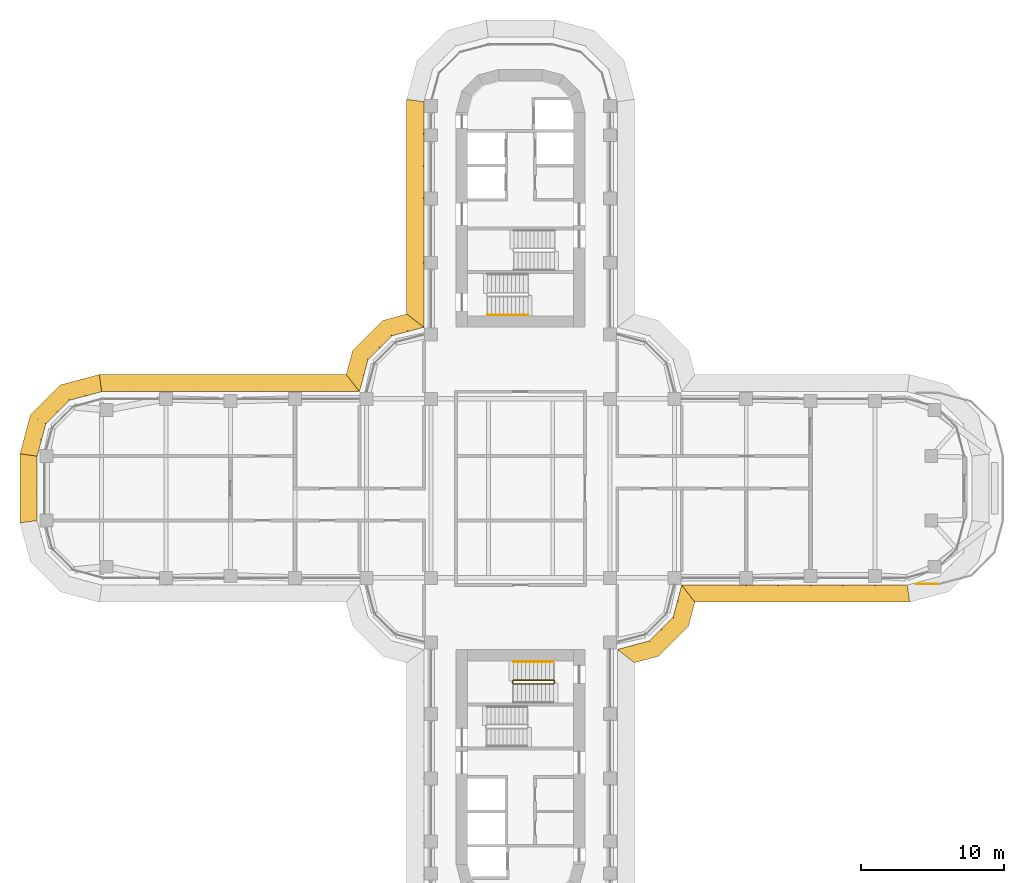
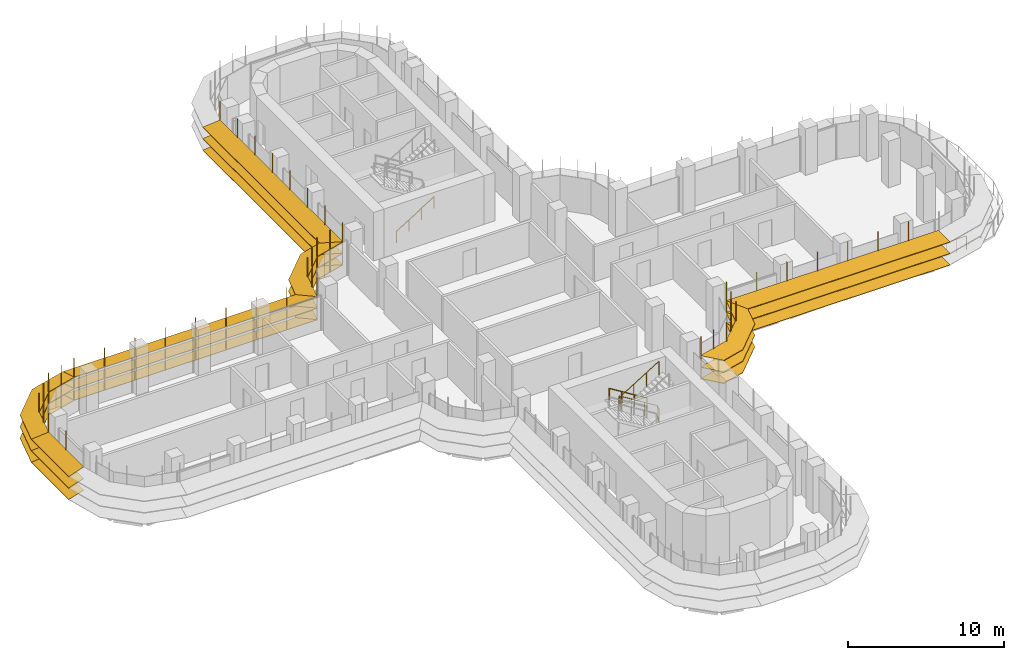
# One storey, part 20 of 22: 7 shading devices, 4 railings.
"""IFC4 building model written with IfcOpenShell, lengths in metres."""

from ifc_helpers import new_model, si_unit, direction, frame, origin, origin_2d, place, context, subcontext, project, spatial, polyline, circle, outline, extrude, faceted_brep, source, transform, mapped, material, type_object, element, save


model = new_model("IFC4")

# Units and contexts
model_context = context("Model", 3, precision=1e-05, world=origin(), true_north=direction((0.0, 1.0)))
body_context = subcontext(model_context, "Body", "Model", "MODEL_VIEW")
ifc_project = project(units=[si_unit("LENGTHUNIT", "METRE"), si_unit("AREAUNIT", "SQUARE_METRE"), si_unit("VOLUMEUNIT", "CUBIC_METRE"), si_unit("PLANEANGLEUNIT", "RADIAN"), si_unit("MASSUNIT", "GRAM", prefix="KILO")], contexts=[model_context])

# Site, building, storey
site_placement = place(None, origin())
site = spatial("IfcSite", under=ifc_project, at=site_placement, CompositionType="ELEMENT")
building_placement = place(site_placement, origin())
building = spatial("IfcBuilding", under=site, at=building_placement, Name="Zarbagh Exchange Tower", CompositionType="ELEMENT")
storey_placement = place(building_placement, frame((0.0, 0.0, 124.60009765625)))
storey = spatial("IfcBuildingStorey", under=building, at=storey_placement, Name="L29", CompositionType="ELEMENT", Elevation=124.60009765625)

# Railings
ifc_material_1 = material(Name="Stainless steel", Category="steel")
railing_type_1 = type_object("IfcRailingType", Name="Stair guard 1100 mm", PredefinedType="GUARDRAIL", material=ifc_material_1)
railing_1_placement = place(storey_placement, frame((2.35009765625, -13.60009765625, 0.0)))
element("IfcRailing", 1, at=railing_1_placement, inside=storey, type_object=railing_type_1, Name="ST4 stair guard 1", PredefinedType="GUARDRAIL", context=body_context, shape_type="SweptSolid", body=[
    extrude(circle(Radius=0.02392578125, at=origin_2d()), frame((0.0, 0.0, 1.076171875), z_axis=(0.0, 1.0, 0.0), x_axis=(-1.0, 0.0, 0.0)), (0.0, 0.0, 1.0), 0.150146484375),
    extrude(circle(Radius=0.02392578125, at=origin_2d()), frame((0.0, 0.150146484375, 1.076171875), z_axis=(-0.268277960024, 0.268277960024, 0.925231793839), x_axis=(-0.707106781187, -0.707106781187, 0.0)), (0.0, 0.0, 1.0), 0.1865234375),
    extrude(circle(Radius=0.02392578125, at=origin_2d()), frame((-0.050048828125, 0.2001953125, 1.24853515625), z_axis=(-0.851089632645, 0.0, 0.525020415988), x_axis=(0.0, -1.0, 0.0)), (0.0, 0.0, 1.0), 3.2900390625),
    extrude(circle(Radius=0.02392578125, at=origin_2d()), frame((-2.85009765625, 0.2001953125, 2.97607421875), z_axis=(-0.707106781187, -0.707106781187, 0.0), x_axis=(0.707106781187, -0.707106781187, 0.0)), (0.0, 0.0, 1.0), 0.07080078125),
    extrude(circle(Radius=0.02392578125, at=origin_2d()), frame((-2.900146484375, 0.150146484375, 2.97607421875), z_axis=(0.0, -1.0, 0.0), x_axis=(1.0, 0.0, 0.0)), (0.0, 0.0, 1.0), 0.150146484375),
    extrude(circle(Radius=0.02392578125, at=origin_2d()), frame((-2.900146484375, 0.0, 2.97607421875), z_axis=(0.268371968888, -0.267062837333, 0.925556009775), x_axis=(0.705375805398, 0.708833529934, 0.0)), (0.0, 0.0, 1.0), 0.1865234375),
    extrude(circle(Radius=0.02392578125, at=origin_2d()), frame((-2.85009765625, -0.0498046875, 3.1484375), z_axis=(0.851089632645, 0.0, 0.525020415988), x_axis=(0.0, 1.0, 0.0)), (0.0, 0.0, 1.0), 3.2900390625),
    extrude(circle(Radius=0.02099609375, at=origin_2d()), origin(), (0.0, 0.0, 1.0), 1.052001953125),
    extrude(circle(Radius=0.02099609375, at=origin_2d()), frame((0.0, 0.150146484375, 0.0)), (0.0, 0.0, 1.0), 1.052001953125),
    extrude(circle(Radius=0.02099609375, at=origin_2d()), frame((-0.050048828125, 0.2001953125, 0.172607421875)), (0.0, 0.0, 1.0), 1.052001953125),
    extrude(circle(Radius=0.02099609375, at=origin_2d()), frame((-0.9833984375, 0.2001953125, 0.748291015625)), (0.0, 0.0, 1.0), 1.052001953125),
    extrude(circle(Radius=0.02099609375, at=origin_2d()), frame((-1.916748046875, 0.2001953125, 1.32421875)), (0.0, 0.0, 1.0), 1.052001953125),
    extrude(circle(Radius=0.02099609375, at=origin_2d()), frame((-2.85009765625, 0.2001953125, 1.89990234375)), (0.0, 0.0, 1.0), 1.052001953125),
    extrude(circle(Radius=0.02099609375, at=origin_2d()), frame((-2.900146484375, 0.150146484375, 1.89990234375)), (0.0, 0.0, 1.0), 1.052001953125),
    extrude(circle(Radius=0.02099609375, at=origin_2d()), frame((-2.900146484375, 0.0, 1.89990234375)), (0.0, 0.0, 1.0), 1.052001953125),
    extrude(circle(Radius=0.02099609375, at=origin_2d()), frame((-2.85009765625, -0.0498046875, 2.072509765625)), (0.0, 0.0, 1.0), 1.052001953125),
    extrude(circle(Radius=0.02099609375, at=origin_2d()), frame((-1.916748046875, -0.0498046875, 2.648193359375)), (0.0, 0.0, 1.0), 1.052001953125),
    extrude(circle(Radius=0.02099609375, at=origin_2d()), frame((-0.9833984375, -0.0498046875, 3.22412109375)), (0.0, 0.0, 1.0), 1.052001953125),
    extrude(circle(Radius=0.02099609375, at=origin_2d()), frame((-0.050048828125, -0.0498046875, 3.7998046875)), (0.0, 0.0, 1.0), 1.052001953125),
])
railing_type_2 = type_object("IfcRailingType", Name="Stair handrail 900 mm", PredefinedType="HANDRAIL", material=ifc_material_1)
railing_2_placement = place(storey_placement, frame((-2.300048828125, 12.10009765625, 0.172607421875)))
element("IfcRailing", 2, at=railing_2_placement, inside=storey, type_object=railing_type_2, Name="ST2 stair handrail 1", PredefinedType="HANDRAIL", context=body_context, shape_type="SweptSolid", body=[
    extrude(circle(Radius=0.02392578125, at=origin_2d()), frame((0.0, 0.0, 0.8759765625), z_axis=(0.851089632645, 0.0, 0.525020415988), x_axis=(0.0, 1.0, 0.0)), (0.0, 0.0, 1.0), 3.2900390625),
    extrude(circle(Radius=0.02099609375, at=origin_2d()), origin(), (0.0, 0.0, 1.0), 0.851806640625),
    extrude(circle(Radius=0.02099609375, at=origin_2d()), frame((0.933349609375, 0.0, 0.57568359375)), (0.0, 0.0, 1.0), 0.851806640625),
    extrude(circle(Radius=0.02099609375, at=origin_2d()), frame((1.86669921875, 0.0, 1.151611328125)), (0.0, 0.0, 1.0), 0.851806640625),
    extrude(circle(Radius=0.02099609375, at=origin_2d()), frame((2.800048828125, 0.0, 1.727294921875)), (0.0, 0.0, 1.0), 0.851806640625),
])
railing_3_placement = place(storey_placement, frame((2.300048828125, -12.10009765625, 0.172607421875)))
element("IfcRailing", 3, at=railing_3_placement, inside=storey, type_object=railing_type_2, Name="ST4 stair handrail 1", PredefinedType="HANDRAIL", context=body_context, shape_type="SweptSolid", body=[
    extrude(circle(Radius=0.02392578125, at=origin_2d()), frame((0.0, 0.0, 0.8759765625), z_axis=(-0.851089632645, 0.0, 0.525020415988), x_axis=(0.0, -1.0, 0.0)), (0.0, 0.0, 1.0), 3.2900390625),
    extrude(circle(Radius=0.02099609375, at=origin_2d()), origin(), (0.0, 0.0, 1.0), 0.851806640625),
    extrude(circle(Radius=0.02099609375, at=origin_2d()), frame((-0.933349609375, 0.0, 0.57568359375)), (0.0, 0.0, 1.0), 0.851806640625),
    extrude(circle(Radius=0.02099609375, at=origin_2d()), frame((-1.86669921875, 0.0, 1.151611328125)), (0.0, 0.0, 1.0), 0.851806640625),
    extrude(circle(Radius=0.02099609375, at=origin_2d()), frame((-2.800048828125, 0.0, 1.727294921875)), (0.0, 0.0, 1.0), 0.851806640625),
])
ifc_material_2 = material(Name="Stainless steel and laminated glass", Category="steel")
railing_type_3 = type_object("IfcRailingType", Name="Terrace guard, glass balustrade 1.1 m", PredefinedType="GUARDRAIL", material=ifc_material_2)
railing_4_placement = place(storey_placement, frame((29.11279296875, -6.669921875, 0.0)))
element("IfcRailing", 4, at=railing_4_placement, inside=storey, type_object=railing_type_3, Name="TG01 terrace guard", PredefinedType="GUARDRAIL", context=body_context, shape_type="SweptSolid", body=[
    extrude(circle(Radius=0.02490234375, at=origin_2d()), frame((0.0, 0.0, 1.0751953125), z_axis=(-1.0, 0.0, 0.0), x_axis=(0.0, -1.0, 0.0)), (0.0, 0.0, 1.0), 1.505126953125),
    extrude(circle(Radius=0.02490234375, at=origin_2d()), origin(), (0.0, 0.0, 1.0), 1.050048828125),
    extrude(circle(Radius=0.02490234375, at=origin_2d()), frame((-0.75244140625, 0.0, 0.0)), (0.0, 0.0, 1.0), 1.050048828125),
    extrude(circle(Radius=0.02490234375, at=origin_2d()), frame((-1.505126953125, 0.0, 0.0)), (0.0, 0.0, 1.0), 1.050048828125),
])

# Shading devices
ifc_material_3 = material(Name="Anodised aluminium blades and brackets", Category="aluminium")
shading_device_type = type_object("IfcShadingDeviceType", Name="SUNSHADE louvre band, 11.25 degree blades", PredefinedType="JALOUSIE", material=ifc_material_3)
shared_shape_1 = source(origin(), body_context, "Body", "Brep", [
    faceted_brep([(0.0, 0.0, 0.0), (0.0, 0.0, -0.040771484375), (-0.157958984375, -1.199951171875, -0.279541015625), (-0.157958984375, -1.199951171875, -0.23876953125), (2.65087890625, -1.199951171875, -0.23876953125), (2.65087890625, -1.199951171875, -0.279541015625), (2.329345703125, 0.0, -0.040771484375), (2.329345703125, 0.0, 0.0)], [[[0, 1, 2, 3]], [[4, 5, 6, 7]], [[0, 7, 6, 1]], [[1, 6, 5, 2]], [[2, 5, 4, 3]], [[3, 4, 7, 0]]]),
])
shared_shape_2 = source(origin(), body_context, "Body", "Brep", [
    faceted_brep([(0.0, 0.0, 0.0), (0.0, 0.0, -0.040771484375), (-0.321533203125, -1.199951171875, -0.279541015625), (-0.321533203125, -1.199951171875, -0.23876953125), (2.65087890625, -1.199951171875, -0.23876953125), (2.65087890625, -1.199951171875, -0.279541015625), (2.329345703125, 0.0, -0.040771484375), (2.329345703125, 0.0, 0.0)], [[[0, 1, 2, 3]], [[4, 5, 6, 7]], [[0, 7, 6, 1]], [[1, 6, 5, 2]], [[2, 5, 4, 3]], [[3, 4, 7, 0]]]),
])
shared_shape_3 = source(origin(), body_context, "Body", "Brep", [
    faceted_brep([(0.0, 0.0, 0.0), (0.0, 0.0, -0.040771484375), (-0.321533203125, -1.199951171875, -0.279541015625), (-0.321533203125, -1.199951171875, -0.23876953125), (2.4873046875, -1.199951171875, -0.23876953125), (2.4873046875, -1.199951171875, -0.279541015625), (2.329345703125, 0.0, -0.040771484375), (2.329345703125, 0.0, 0.0)], [[[0, 1, 2, 3]], [[4, 5, 6, 7]], [[0, 7, 6, 1]], [[1, 6, 5, 2]], [[2, 5, 4, 3]], [[3, 4, 7, 0]]]),
])
shared_shape_4 = source(origin(), body_context, "Body", "SweptSolid", [
    extrude(outline(polyline([(0.0, -0.012451171875), (0.06005859375, -0.012451171875), (0.06005859375, 0.012451171875), (0.0, 0.012451171875), (0.0, -0.012451171875)])), origin(), (0.0, 0.0, 1.0), 3.350830078125),
])
placement = place(storey_placement, origin())
element("IfcShadingDevice", 5, at=placement, inside=storey, type_object=shading_device_type, Name="SS17 sunshade band", PredefinedType="JALOUSIE", context=body_context, shape_type="MappedRepresentation", body=[
    mapped(shared_shape_1, transform((-29.25, 6.75, 2.2998046875), x_axis=(-0.965924289636, -0.258824779902, 0.0), y_axis=(0.258824779902, -0.965924289636, 0.0), z_axis=(0.0, 0.0, 1.0))),
    mapped(shared_shape_1, transform((-29.25, 6.75, 1.39990234375), x_axis=(-0.965924289636, -0.258824779902, 0.0), y_axis=(0.258824779902, -0.965924289636, 0.0), z_axis=(0.0, 0.0, 1.0))),
    mapped(shared_shape_1, transform((-29.25, 6.75, 0.5), x_axis=(-0.965924289636, -0.258824779902, 0.0), y_axis=(0.258824779902, -0.965924289636, 0.0), z_axis=(0.0, 0.0, 1.0))),
    mapped(shared_shape_2, transform((-31.5, 6.147216796875, 2.2998046875), x_axis=(-0.707106781187, -0.707106781187, 0.0), y_axis=(0.707106781187, -0.707106781187, 0.0), z_axis=(0.0, 0.0, 1.0))),
    mapped(shared_shape_2, transform((-31.5, 6.147216796875, 1.39990234375), x_axis=(-0.707106781187, -0.707106781187, 0.0), y_axis=(0.707106781187, -0.707106781187, 0.0), z_axis=(0.0, 0.0, 1.0))),
    mapped(shared_shape_2, transform((-31.5, 6.147216796875, 0.5), x_axis=(-0.707106781187, -0.707106781187, 0.0), y_axis=(0.707106781187, -0.707106781187, 0.0), z_axis=(0.0, 0.0, 1.0))),
    mapped(shared_shape_3, transform((-33.147216796875, 4.5, 2.2998046875), x_axis=(-0.258824779902, -0.965924289636, 0.0), y_axis=(0.965924289636, -0.258824779902, 0.0), z_axis=(0.0, 0.0, 1.0))),
    mapped(shared_shape_3, transform((-33.147216796875, 4.5, 1.39990234375), x_axis=(-0.258824779902, -0.965924289636, 0.0), y_axis=(0.965924289636, -0.258824779902, 0.0), z_axis=(0.0, 0.0, 1.0))),
    mapped(shared_shape_3, transform((-33.147216796875, 4.5, 0.5), x_axis=(-0.258824779902, -0.965924289636, 0.0), y_axis=(0.965924289636, -0.258824779902, 0.0), z_axis=(0.0, 0.0, 1.0))),
    mapped(shared_shape_4, transform((-29.25, 6.75, 0.42919921875), x_axis=(-0.130529263012, 0.991444457092, 0.0), y_axis=(-0.991444457092, -0.130529263012, 0.0), z_axis=(0.0, 0.0, 1.0))),
    mapped(shared_shape_4, transform((-30.375, 6.448486328125, 0.42919921875), x_axis=(-0.258825058029, 0.96592421511, 0.0), y_axis=(-0.96592421511, -0.258825058029, 0.0), z_axis=(0.0, 0.0, 1.0))),
    mapped(shared_shape_4, transform((-31.5, 6.147216796875, 0.42919921875), x_axis=(-0.50000275701, 0.866023812018, 0.0), y_axis=(-0.866023812018, -0.50000275701, 0.0), z_axis=(0.0, 0.0, 1.0))),
    mapped(shared_shape_4, transform((-32.323486328125, 5.323486328125, 0.42919921875), x_axis=(-0.707106781187, 0.707106781187, 0.0), y_axis=(-0.707106781187, -0.707106781187, 0.0), z_axis=(0.0, 0.0, 1.0))),
    mapped(shared_shape_4, transform((-33.147216796875, 4.5, 0.42919921875), x_axis=(-0.866023812018, 0.50000275701, 0.0), y_axis=(-0.50000275701, -0.866023812018, 0.0), z_axis=(0.0, 0.0, 1.0))),
    mapped(shared_shape_4, transform((-33.448486328125, 3.375, 0.42919921875), x_axis=(-0.96592421511, 0.258825058029, 0.0), y_axis=(-0.258825058029, -0.96592421511, 0.0), z_axis=(0.0, 0.0, 1.0))),
])
shared_shape_5 = source(origin(), body_context, "Body", "Brep", [
    faceted_brep([(0.0, 0.0, 0.0), (0.0, 0.0, -0.040771484375), (0.9208984375, -1.199951171875, -0.279541015625), (0.9208984375, -1.199951171875, -0.23876953125), (2.65087890625, -1.199951171875, -0.23876953125), (2.65087890625, -1.199951171875, -0.279541015625), (2.329345703125, 0.0, -0.040771484375), (2.329345703125, 0.0, 0.0)], [[[0, 1, 2, 3]], [[4, 5, 6, 7]], [[0, 7, 6, 1]], [[1, 6, 5, 2]], [[2, 5, 4, 3]], [[3, 4, 7, 0]]]),
])
shared_shape_6 = source(origin(), body_context, "Body", "Brep", [
    faceted_brep([(0.0, 0.0, 0.0), (0.0, 0.0, -0.040771484375), (-0.321533203125, -1.199951171875, -0.279541015625), (-0.321533203125, -1.199951171875, -0.23876953125), (1.40869140625, -1.199951171875, -0.23876953125), (1.40869140625, -1.199951171875, -0.279541015625), (2.329345703125, 0.0, -0.040771484375), (2.329345703125, 0.0, 0.0)], [[[0, 1, 2, 3]], [[4, 5, 6, 7]], [[0, 7, 6, 1]], [[1, 6, 5, 2]], [[2, 5, 4, 3]], [[3, 4, 7, 0]]]),
])
element("IfcShadingDevice", 6, at=placement, inside=storey, type_object=shading_device_type, Name="SS03 sunshade band", PredefinedType="JALOUSIE", context=body_context, shape_type="MappedRepresentation", body=[
    mapped(shared_shape_5, transform((6.75, -11.25, 2.2998046875), x_axis=(0.965924289636, 0.258824779902, 0.0), y_axis=(-0.258824779902, 0.965924289636, 0.0), z_axis=(0.0, 0.0, 1.0))),
    mapped(shared_shape_5, transform((6.75, -11.25, 1.39990234375), x_axis=(0.965924289636, 0.258824779902, 0.0), y_axis=(-0.258824779902, 0.965924289636, 0.0), z_axis=(0.0, 0.0, 1.0))),
    mapped(shared_shape_5, transform((6.75, -11.25, 0.5), x_axis=(0.965924289636, 0.258824779902, 0.0), y_axis=(-0.258824779902, 0.965924289636, 0.0), z_axis=(0.0, 0.0, 1.0))),
    mapped(shared_shape_2, transform((9.0, -10.647216796875, 2.2998046875), x_axis=(0.707106781187, 0.707106781187, 0.0), y_axis=(-0.707106781187, 0.707106781187, 0.0), z_axis=(0.0, 0.0, 1.0))),
    mapped(shared_shape_2, transform((9.0, -10.647216796875, 1.39990234375), x_axis=(0.707106781187, 0.707106781187, 0.0), y_axis=(-0.707106781187, 0.707106781187, 0.0), z_axis=(0.0, 0.0, 1.0))),
    mapped(shared_shape_2, transform((9.0, -10.647216796875, 0.5), x_axis=(0.707106781187, 0.707106781187, 0.0), y_axis=(-0.707106781187, 0.707106781187, 0.0), z_axis=(0.0, 0.0, 1.0))),
    mapped(shared_shape_6, transform((10.647216796875, -9.0, 2.2998046875), x_axis=(0.258824779902, 0.965924289636, 0.0), y_axis=(-0.965924289636, 0.258824779902, 0.0), z_axis=(0.0, 0.0, 1.0))),
    mapped(shared_shape_6, transform((10.647216796875, -9.0, 1.39990234375), x_axis=(0.258824779902, 0.965924289636, 0.0), y_axis=(-0.965924289636, 0.258824779902, 0.0), z_axis=(0.0, 0.0, 1.0))),
    mapped(shared_shape_6, transform((10.647216796875, -9.0, 0.5), x_axis=(0.258824779902, 0.965924289636, 0.0), y_axis=(-0.965924289636, 0.258824779902, 0.0), z_axis=(0.0, 0.0, 1.0))),
    mapped(shared_shape_4, transform((6.75, -11.25, 0.42919921875), x_axis=(0.793355287, -0.608758892, 0.0), y_axis=(0.608758892, 0.793355287, 0.0), z_axis=(0.0, 0.0, 1.0))),
    mapped(shared_shape_4, transform((7.875, -10.948486328125, 0.42919921875), x_axis=(0.258825058029, -0.96592421511, 0.0), y_axis=(0.96592421511, 0.258825058029, 0.0), z_axis=(0.0, 0.0, 1.0))),
    mapped(shared_shape_4, transform((9.0, -10.647216796875, 0.42919921875), x_axis=(0.50000275701, -0.866023812018, 0.0), y_axis=(0.866023812018, 0.50000275701, 0.0), z_axis=(0.0, 0.0, 1.0))),
    mapped(shared_shape_4, transform((9.823486328125, -9.823486328125, 0.42919921875), x_axis=(0.707106781187, -0.707106781187, 0.0), y_axis=(0.707106781187, 0.707106781187, 0.0), z_axis=(0.0, 0.0, 1.0))),
    mapped(shared_shape_4, transform((10.647216796875, -9.0, 0.42919921875), x_axis=(0.866023812018, -0.50000275701, 0.0), y_axis=(0.50000275701, 0.866023812018, 0.0), z_axis=(0.0, 0.0, 1.0))),
    mapped(shared_shape_4, transform((10.948486328125, -7.875, 0.42919921875), x_axis=(0.96592421511, -0.258825058029, 0.0), y_axis=(0.258825058029, 0.96592421511, 0.0), z_axis=(0.0, 0.0, 1.0))),
])
element("IfcShadingDevice", 7, at=placement, inside=storey, type_object=shading_device_type, Name="SS15 sunshade band", PredefinedType="JALOUSIE", context=body_context, shape_type="MappedRepresentation", body=[
    mapped(shared_shape_5, transform((-6.75, 11.25, 2.2998046875), x_axis=(-0.965924289636, -0.258824779902, 0.0), y_axis=(0.258824779902, -0.965924289636, 0.0), z_axis=(0.0, 0.0, 1.0))),
    mapped(shared_shape_5, transform((-6.75, 11.25, 1.39990234375), x_axis=(-0.965924289636, -0.258824779902, 0.0), y_axis=(0.258824779902, -0.965924289636, 0.0), z_axis=(0.0, 0.0, 1.0))),
    mapped(shared_shape_5, transform((-6.75, 11.25, 0.5), x_axis=(-0.965924289636, -0.258824779902, 0.0), y_axis=(0.258824779902, -0.965924289636, 0.0), z_axis=(0.0, 0.0, 1.0))),
    mapped(shared_shape_2, transform((-9.0, 10.647216796875, 2.2998046875), x_axis=(-0.707106781187, -0.707106781187, 0.0), y_axis=(0.707106781187, -0.707106781187, 0.0), z_axis=(0.0, 0.0, 1.0))),
    mapped(shared_shape_2, transform((-9.0, 10.647216796875, 1.39990234375), x_axis=(-0.707106781187, -0.707106781187, 0.0), y_axis=(0.707106781187, -0.707106781187, 0.0), z_axis=(0.0, 0.0, 1.0))),
    mapped(shared_shape_2, transform((-9.0, 10.647216796875, 0.5), x_axis=(-0.707106781187, -0.707106781187, 0.0), y_axis=(0.707106781187, -0.707106781187, 0.0), z_axis=(0.0, 0.0, 1.0))),
    mapped(shared_shape_6, transform((-10.647216796875, 9.0, 2.2998046875), x_axis=(-0.258824779902, -0.965924289636, 0.0), y_axis=(0.965924289636, -0.258824779902, 0.0), z_axis=(0.0, 0.0, 1.0))),
    mapped(shared_shape_6, transform((-10.647216796875, 9.0, 1.39990234375), x_axis=(-0.258824779902, -0.965924289636, 0.0), y_axis=(0.965924289636, -0.258824779902, 0.0), z_axis=(0.0, 0.0, 1.0))),
    mapped(shared_shape_6, transform((-10.647216796875, 9.0, 0.5), x_axis=(-0.258824779902, -0.965924289636, 0.0), y_axis=(0.965924289636, -0.258824779902, 0.0), z_axis=(0.0, 0.0, 1.0))),
    mapped(shared_shape_4, transform((-6.75, 11.25, 0.42919921875), x_axis=(-0.793355287, 0.608758892, 0.0), y_axis=(-0.608758892, -0.793355287, 0.0), z_axis=(0.0, 0.0, 1.0))),
    mapped(shared_shape_4, transform((-7.875, 10.948486328125, 0.42919921875), x_axis=(-0.258825058029, 0.96592421511, 0.0), y_axis=(-0.96592421511, -0.258825058029, 0.0), z_axis=(0.0, 0.0, 1.0))),
    mapped(shared_shape_4, transform((-9.0, 10.647216796875, 0.42919921875), x_axis=(-0.50000275701, 0.866023812018, 0.0), y_axis=(-0.866023812018, -0.50000275701, 0.0), z_axis=(0.0, 0.0, 1.0))),
    mapped(shared_shape_4, transform((-9.823486328125, 9.823486328125, 0.42919921875), x_axis=(-0.707106781187, 0.707106781187, 0.0), y_axis=(-0.707106781187, -0.707106781187, 0.0), z_axis=(0.0, 0.0, 1.0))),
    mapped(shared_shape_4, transform((-10.647216796875, 9.0, 0.42919921875), x_axis=(-0.866023812018, 0.50000275701, 0.0), y_axis=(-0.50000275701, -0.866023812018, 0.0), z_axis=(0.0, 0.0, 1.0))),
    mapped(shared_shape_4, transform((-10.948486328125, 7.875, 0.42919921875), x_axis=(-0.96592421511, 0.258825058029, 0.0), y_axis=(-0.258825058029, -0.96592421511, 0.0), z_axis=(0.0, 0.0, 1.0))),
])
shared_shape_7 = source(origin(), body_context, "Body", "Brep", [
    faceted_brep([(0.0, 0.0, 0.0), (0.0, 0.0, -0.040771484375), (0.9208984375, -1.199951171875, -0.279541015625), (0.9208984375, -1.199951171875, -0.23876953125), (15.907958984375, -1.199951171875, -0.23876953125), (15.907958984375, -1.199951171875, -0.279541015625), (15.75, 0.0, -0.040771484375), (15.75, 0.0, 0.0)], [[[0, 1, 2, 3]], [[4, 5, 6, 7]], [[0, 7, 6, 1]], [[1, 6, 5, 2]], [[2, 5, 4, 3]], [[3, 4, 7, 0]]]),
])
element("IfcShadingDevice", 8, at=placement, inside=storey, type_object=shading_device_type, Name="SS30 sunshade band", PredefinedType="JALOUSIE", context=body_context, shape_type="MappedRepresentation", body=[
    mapped(shared_shape_7, transform((11.25, -6.75, 2.2998046875), x_axis=(1.0, 0.0, 0.0), y_axis=(0.0, 1.0, 0.0), z_axis=(0.0, 0.0, 1.0))),
    mapped(shared_shape_7, transform((11.25, -6.75, 1.39990234375), x_axis=(1.0, 0.0, 0.0), y_axis=(0.0, 1.0, 0.0), z_axis=(0.0, 0.0, 1.0))),
    mapped(shared_shape_7, transform((11.25, -6.75, 0.5), x_axis=(1.0, 0.0, 0.0), y_axis=(0.0, 1.0, 0.0), z_axis=(0.0, 0.0, 1.0))),
    mapped(shared_shape_4, transform((11.25, -6.75, 0.42919921875), x_axis=(0.608758892, -0.793355287, 0.0), y_axis=(0.793355287, 0.608758892, 0.0), z_axis=(0.0, 0.0, 1.0))),
    mapped(shared_shape_4, transform((13.5, -6.75, 0.42919921875), x_axis=(0.0, -1.0, 0.0), y_axis=(1.0, 0.0, 0.0), z_axis=(0.0, 0.0, 1.0))),
    mapped(shared_shape_4, transform((15.75, -6.75, 0.42919921875), x_axis=(0.0, -1.0, 0.0), y_axis=(1.0, 0.0, 0.0), z_axis=(0.0, 0.0, 1.0))),
    mapped(shared_shape_4, transform((18.0, -6.75, 0.42919921875), x_axis=(0.0, -1.0, 0.0), y_axis=(1.0, 0.0, 0.0), z_axis=(0.0, 0.0, 1.0))),
    mapped(shared_shape_4, transform((20.25, -6.75, 0.42919921875), x_axis=(0.0, -1.0, 0.0), y_axis=(1.0, 0.0, 0.0), z_axis=(0.0, 0.0, 1.0))),
    mapped(shared_shape_4, transform((22.5, -6.75, 0.42919921875), x_axis=(0.0, -1.0, 0.0), y_axis=(1.0, 0.0, 0.0), z_axis=(0.0, 0.0, 1.0))),
    mapped(shared_shape_4, transform((24.75, -6.75, 0.42919921875), x_axis=(0.0, -1.0, 0.0), y_axis=(1.0, 0.0, 0.0), z_axis=(0.0, 0.0, 1.0))),
])
shared_shape_8 = source(origin(), body_context, "Body", "Brep", [
    faceted_brep([(0.0, 0.0, 0.0), (0.0, 0.0, -0.040771484375), (-0.157958984375, -1.199951171875, -0.279541015625), (-0.157958984375, -1.199951171875, -0.23876953125), (14.8291015625, -1.199951171875, -0.23876953125), (14.8291015625, -1.199951171875, -0.279541015625), (15.75, 0.0, -0.040771484375), (15.75, 0.0, 0.0)], [[[0, 1, 2, 3]], [[4, 5, 6, 7]], [[0, 7, 6, 1]], [[1, 6, 5, 2]], [[2, 5, 4, 3]], [[3, 4, 7, 0]]]),
])
element("IfcShadingDevice", 9, at=placement, inside=storey, type_object=shading_device_type, Name="SS29 sunshade band", PredefinedType="JALOUSIE", context=body_context, shape_type="MappedRepresentation", body=[
    mapped(shared_shape_8, transform((-6.75, 27.0, 2.2998046875), x_axis=(0.0, -1.0, 0.0), y_axis=(1.0, 0.0, 0.0), z_axis=(0.0, 0.0, 1.0))),
    mapped(shared_shape_8, transform((-6.75, 27.0, 1.39990234375), x_axis=(0.0, -1.0, 0.0), y_axis=(1.0, 0.0, 0.0), z_axis=(0.0, 0.0, 1.0))),
    mapped(shared_shape_8, transform((-6.75, 27.0, 0.5), x_axis=(0.0, -1.0, 0.0), y_axis=(1.0, 0.0, 0.0), z_axis=(0.0, 0.0, 1.0))),
    mapped(shared_shape_4, transform((-6.75, 27.0, 0.42919921875), x_axis=(-0.991444457092, 0.130529263012, 0.0), y_axis=(-0.130529263012, -0.991444457092, 0.0), z_axis=(0.0, 0.0, 1.0))),
    mapped(shared_shape_4, transform((-6.75, 24.75, 0.42919921875), x_axis=(-1.0, 0.0, 0.0), y_axis=(0.0, -1.0, 0.0), z_axis=(0.0, 0.0, 1.0))),
    mapped(shared_shape_4, transform((-6.75, 22.5, 0.42919921875), x_axis=(-1.0, 0.0, 0.0), y_axis=(0.0, -1.0, 0.0), z_axis=(0.0, 0.0, 1.0))),
    mapped(shared_shape_4, transform((-6.75, 20.25, 0.42919921875), x_axis=(-1.0, 0.0, 0.0), y_axis=(0.0, -1.0, 0.0), z_axis=(0.0, 0.0, 1.0))),
    mapped(shared_shape_4, transform((-6.75, 18.0, 0.42919921875), x_axis=(-1.0, 0.0, 0.0), y_axis=(0.0, -1.0, 0.0), z_axis=(0.0, 0.0, 1.0))),
    mapped(shared_shape_4, transform((-6.75, 15.75, 0.42919921875), x_axis=(-1.0, 0.0, 0.0), y_axis=(0.0, -1.0, 0.0), z_axis=(0.0, 0.0, 1.0))),
    mapped(shared_shape_4, transform((-6.75, 13.5, 0.42919921875), x_axis=(-1.0, 0.0, 0.0), y_axis=(0.0, -1.0, 0.0), z_axis=(0.0, 0.0, 1.0))),
])
shared_shape_9 = source(origin(), body_context, "Body", "Brep", [
    faceted_brep([(0.0, 0.0, 0.0), (0.0, 0.0, -0.040771484375), (0.9208984375, -1.199951171875, -0.279541015625), (0.9208984375, -1.199951171875, -0.23876953125), (18.157958984375, -1.199951171875, -0.23876953125), (18.157958984375, -1.199951171875, -0.279541015625), (18.0, 0.0, -0.040771484375), (18.0, 0.0, 0.0)], [[[0, 1, 2, 3]], [[4, 5, 6, 7]], [[0, 7, 6, 1]], [[1, 6, 5, 2]], [[2, 5, 4, 3]], [[3, 4, 7, 0]]]),
])
element("IfcShadingDevice", 10, at=placement, inside=storey, type_object=shading_device_type, Name="SS16 sunshade band", PredefinedType="JALOUSIE", context=body_context, shape_type="MappedRepresentation", body=[
    mapped(shared_shape_9, transform((-11.25, 6.75, 2.2998046875), x_axis=(-1.0, 0.0, 0.0), y_axis=(0.0, -1.0, 0.0), z_axis=(0.0, 0.0, 1.0))),
    mapped(shared_shape_9, transform((-11.25, 6.75, 1.39990234375), x_axis=(-1.0, 0.0, 0.0), y_axis=(0.0, -1.0, 0.0), z_axis=(0.0, 0.0, 1.0))),
    mapped(shared_shape_9, transform((-11.25, 6.75, 0.5), x_axis=(-1.0, 0.0, 0.0), y_axis=(0.0, -1.0, 0.0), z_axis=(0.0, 0.0, 1.0))),
    mapped(shared_shape_4, transform((-11.25, 6.75, 0.42919921875), x_axis=(-0.608758892, 0.793355287, 0.0), y_axis=(-0.793355287, -0.608758892, 0.0), z_axis=(0.0, 0.0, 1.0))),
    mapped(shared_shape_4, transform((-13.5, 6.75, 0.42919921875), x_axis=(0.0, 1.0, 0.0), y_axis=(-1.0, 0.0, 0.0), z_axis=(0.0, 0.0, 1.0))),
    mapped(shared_shape_4, transform((-15.75, 6.75, 0.42919921875), x_axis=(0.0, 1.0, 0.0), y_axis=(-1.0, 0.0, 0.0), z_axis=(0.0, 0.0, 1.0))),
    mapped(shared_shape_4, transform((-18.0, 6.75, 0.42919921875), x_axis=(0.0, 1.0, 0.0), y_axis=(-1.0, 0.0, 0.0), z_axis=(0.0, 0.0, 1.0))),
    mapped(shared_shape_4, transform((-20.25, 6.75, 0.42919921875), x_axis=(0.0, 1.0, 0.0), y_axis=(-1.0, 0.0, 0.0), z_axis=(0.0, 0.0, 1.0))),
    mapped(shared_shape_4, transform((-22.5, 6.75, 0.42919921875), x_axis=(0.0, 1.0, 0.0), y_axis=(-1.0, 0.0, 0.0), z_axis=(0.0, 0.0, 1.0))),
    mapped(shared_shape_4, transform((-24.75, 6.75, 0.42919921875), x_axis=(0.0, 1.0, 0.0), y_axis=(-1.0, 0.0, 0.0), z_axis=(0.0, 0.0, 1.0))),
    mapped(shared_shape_4, transform((-27.0, 6.75, 0.42919921875), x_axis=(0.0, 1.0, 0.0), y_axis=(-1.0, 0.0, 0.0), z_axis=(0.0, 0.0, 1.0))),
])
shared_shape_10 = source(origin(), body_context, "Body", "Brep", [
    faceted_brep([(0.0, 0.0, 0.0), (0.0, 0.0, -0.040771484375), (-0.157958984375, -1.199951171875, -0.279541015625), (-0.157958984375, -1.199951171875, -0.23876953125), (4.657958984375, -1.199951171875, -0.23876953125), (4.657958984375, -1.199951171875, -0.279541015625), (4.5, 0.0, -0.040771484375), (4.5, 0.0, 0.0)], [[[0, 1, 2, 3]], [[4, 5, 6, 7]], [[0, 7, 6, 1]], [[1, 6, 5, 2]], [[2, 5, 4, 3]], [[3, 4, 7, 0]]]),
])
element("IfcShadingDevice", 11, at=placement, inside=storey, type_object=shading_device_type, Name="SS18 sunshade band", PredefinedType="JALOUSIE", context=body_context, shape_type="MappedRepresentation", body=[
    mapped(shared_shape_10, transform((-33.75, 2.25, 2.2998046875), x_axis=(0.0, -1.0, 0.0), y_axis=(1.0, 0.0, 0.0), z_axis=(0.0, 0.0, 1.0))),
    mapped(shared_shape_10, transform((-33.75, 2.25, 1.39990234375), x_axis=(0.0, -1.0, 0.0), y_axis=(1.0, 0.0, 0.0), z_axis=(0.0, 0.0, 1.0))),
    mapped(shared_shape_10, transform((-33.75, 2.25, 0.5), x_axis=(0.0, -1.0, 0.0), y_axis=(1.0, 0.0, 0.0), z_axis=(0.0, 0.0, 1.0))),
    mapped(shared_shape_4, transform((-33.75, 2.25, 0.42919921875), x_axis=(-0.991444457092, 0.130529263012, 0.0), y_axis=(-0.130529263012, -0.991444457092, 0.0), z_axis=(0.0, 0.0, 1.0))),
    mapped(shared_shape_4, transform((-33.75, 0.0, 0.42919921875), x_axis=(-1.0, 0.0, 0.0), y_axis=(0.0, -1.0, 0.0), z_axis=(0.0, 0.0, 1.0))),
])

save(model, "model.ifc")
